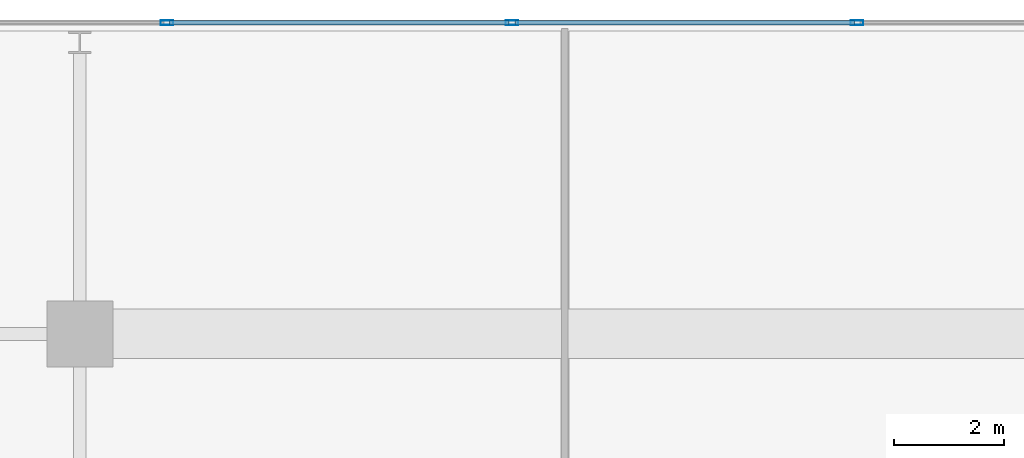
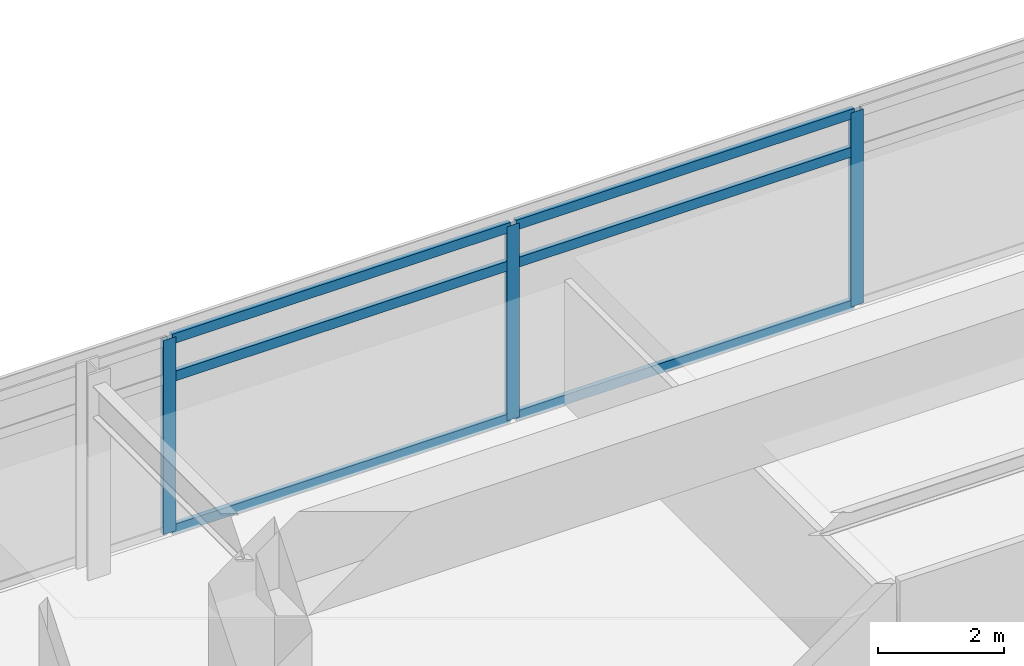
# One storey, part 10 of 21: 9 members, 1 element without a shape of its own.
"""IFC4 building model written with IfcOpenShell, lengths in metres."""

from ifc_helpers import new_model, si_unit, direction, frame, origin, origin_2d, place, context, subcontext, project, spatial, hollow_rectangle, extrude, material, material_profile, profile_set, type_object, element, aggregate, save


model = new_model("IFC4")

# Units and contexts
model_context = context("Model", 3, precision=1e-05, world=origin(), true_north=direction((0.0, 1.0)))
body_context = subcontext(model_context, "Body", "Model", "MODEL_VIEW")
ifc_project = project(units=[si_unit("LENGTHUNIT", "METRE"), si_unit("AREAUNIT", "SQUARE_METRE"), si_unit("VOLUMEUNIT", "CUBIC_METRE"), si_unit("PLANEANGLEUNIT", "RADIAN"), si_unit("MASSUNIT", "GRAM", prefix="KILO")], contexts=[model_context])

# Site, building, storey
site_placement = place(None, origin())
site = spatial("IfcSite", under=ifc_project, at=site_placement, CompositionType="ELEMENT")
building_placement = place(site_placement, origin())
building = spatial("IfcBuilding", under=site, at=building_placement, Name="Kovane Verandah Tower", CompositionType="ELEMENT")
storey_placement = place(building_placement, frame((0.0, 0.0, 275.199951171875)))
storey = spatial("IfcBuildingStorey", under=building, at=storey_placement, Name="L64", CompositionType="ELEMENT", Elevation=275.199951171875)

# Curtain wall, members
ifc_material_1 = material(Name="Champagne Anodised Aluminium Frame with Low-E Clear Laminated Glass", Category="aluminium")
curtain_wall_type = type_object("IfcCurtainWallType", Name="CW-SYS-05-HIGH", PredefinedType="NOTDEFINED", material=ifc_material_1)
curtain_wall_placement = place(storey_placement, origin())
curtain_wall = element("IfcCurtainWall", 1, at=curtain_wall_placement, inside=storey, type_object=curtain_wall_type, Name="L64 N Unitised Curtain Wall", PredefinedType="NOTDEFINED")
ifc_material_2 = material(Name="Champagne Anodised Aluminium 6063-T6", Category="aluminium")
ifc_material_profile_1 = material_profile(ifc_material_2, hollow_rectangle(XDim=0.0849609375, YDim=0.22998046875, WallThickness=0.00390625, at=origin_2d()), Name="AL85x230x4")
ifc_profile_set_1 = profile_set([ifc_material_profile_1], Name="Champagne Anodised Aluminium 6063-T6")
member_type_1 = type_object("IfcMemberType", Name="CW-MUL-85x230", PredefinedType="MULLION", material=ifc_profile_set_1)
member_1_placement = place(storey_placement, frame((43.138427734375, 49.860107421875, 0.02001953125), z_axis=(0.0, 0.0, 1.0), x_axis=(0.0, 1.0, 0.0)))
member_1 = element("IfcMember", 2, at=member_1_placement, type_object=member_type_1, Name="L64 N Unitised Curtain Wall Mullion 4", PredefinedType="MULLION", context=body_context, shape_type="SweptSolid", body=[
    extrude(hollow_rectangle(XDim=0.0849609375, YDim=0.22998046875, WallThickness=0.00390625, at=origin_2d()), origin(), (0.0, 0.0, 1.0), 3.7451171875),
])
member_2_placement = place(storey_placement, frame((36.861572265625, 49.860107421875, 0.02001953125), z_axis=(0.0, 0.0, 1.0), x_axis=(0.0, 1.0, 0.0)))
member_2 = element("IfcMember", 3, at=member_2_placement, type_object=member_type_1, Name="L64 N Unitised Curtain Wall Mullion 5", PredefinedType="MULLION", context=body_context, shape_type="SweptSolid", body=[
    extrude(hollow_rectangle(XDim=0.0849609375, YDim=0.22998046875, WallThickness=0.00390625, at=origin_2d()), origin(), (0.0, 0.0, 1.0), 3.7451171875),
])
member_3_placement = place(storey_placement, frame((30.584716796875, 49.860107421875, 0.02001953125), z_axis=(0.0, 0.0, 1.0), x_axis=(0.0, 1.0, 0.0)))
member_3 = element("IfcMember", 4, at=member_3_placement, type_object=member_type_1, Name="L64 N Unitised Curtain Wall Mullion 6", PredefinedType="MULLION", context=body_context, shape_type="SweptSolid", body=[
    extrude(hollow_rectangle(XDim=0.0849609375, YDim=0.22998046875, WallThickness=0.00390625, at=origin_2d()), origin(), (0.0, 0.0, 1.0), 3.7451171875),
])
ifc_material_profile_2 = material_profile(ifc_material_2, hollow_rectangle(XDim=0.0849609375, YDim=0.18994140625, WallThickness=0.00390625, at=origin_2d()), Name="AL85x190x4")
ifc_profile_set_2 = profile_set([ifc_material_profile_2], Name="Champagne Anodised Aluminium 6063-T6")
member_type_2 = type_object("IfcMemberType", Name="CW-TRN-85x190", PredefinedType="USERDEFINED", material=ifc_profile_set_2)
member_4_placement = place(storey_placement, frame((43.08837890625, 49.860107421875, 0.050048828125), z_axis=(-1.0, 0.0, 0.0), x_axis=(0.0, -1.0, 0.0)))
member_4 = element("IfcMember", 5, at=member_4_placement, type_object=member_type_2, Name="L64 N Unitised Curtain Wall Transom TB Bay 4", ObjectType="TRANSOM", PredefinedType="USERDEFINED", context=body_context, shape_type="SweptSolid", body=[
    extrude(hollow_rectangle(XDim=0.0849609375, YDim=0.18994140625, WallThickness=0.00390625, at=origin_2d()), origin(), (0.0, 0.0, 1.0), 6.1767578125),
])
member_5_placement = place(storey_placement, frame((43.08837890625, 49.860107421875, 3.005126953125), z_axis=(-1.0, 0.0, 0.0), x_axis=(0.0, -1.0, 0.0)))
member_5 = element("IfcMember", 6, at=member_5_placement, type_object=member_type_2, Name="L64 N Unitised Curtain Wall Transom TM Bay 4", ObjectType="TRANSOM", PredefinedType="USERDEFINED", context=body_context, shape_type="SweptSolid", body=[
    extrude(hollow_rectangle(XDim=0.0849609375, YDim=0.18994140625, WallThickness=0.00390625, at=origin_2d()), origin(), (0.0, 0.0, 1.0), 6.1767578125),
])
member_6_placement = place(storey_placement, frame((43.08837890625, 49.860107421875, 3.735107421875), z_axis=(-1.0, 0.0, 0.0), x_axis=(0.0, -1.0, 0.0)))
member_6 = element("IfcMember", 7, at=member_6_placement, type_object=member_type_2, Name="L64 N Unitised Curtain Wall Transom TT Bay 4", ObjectType="TRANSOM", PredefinedType="USERDEFINED", context=body_context, shape_type="SweptSolid", body=[
    extrude(hollow_rectangle(XDim=0.0849609375, YDim=0.18994140625, WallThickness=0.00390625, at=origin_2d()), origin(), (0.0, 0.0, 1.0), 6.1767578125),
])
member_7_placement = place(storey_placement, frame((36.8115234375, 49.860107421875, 0.050048828125), z_axis=(-1.0, 0.0, 0.0), x_axis=(0.0, -1.0, 0.0)))
member_7 = element("IfcMember", 8, at=member_7_placement, type_object=member_type_2, Name="L64 N Unitised Curtain Wall Transom TB Bay 5", ObjectType="TRANSOM", PredefinedType="USERDEFINED", context=body_context, shape_type="SweptSolid", body=[
    extrude(hollow_rectangle(XDim=0.0849609375, YDim=0.18994140625, WallThickness=0.00390625, at=origin_2d()), origin(), (0.0, 0.0, 1.0), 6.177001953125),
])
member_8_placement = place(storey_placement, frame((36.8115234375, 49.860107421875, 3.005126953125), z_axis=(-1.0, 0.0, 0.0), x_axis=(0.0, -1.0, 0.0)))
member_8 = element("IfcMember", 9, at=member_8_placement, type_object=member_type_2, Name="L64 N Unitised Curtain Wall Transom TM Bay 5", ObjectType="TRANSOM", PredefinedType="USERDEFINED", context=body_context, shape_type="SweptSolid", body=[
    extrude(hollow_rectangle(XDim=0.0849609375, YDim=0.18994140625, WallThickness=0.00390625, at=origin_2d()), origin(), (0.0, 0.0, 1.0), 6.177001953125),
])
member_9_placement = place(storey_placement, frame((36.8115234375, 49.860107421875, 3.735107421875), z_axis=(-1.0, 0.0, 0.0), x_axis=(0.0, -1.0, 0.0)))
member_9 = element("IfcMember", 10, at=member_9_placement, type_object=member_type_2, Name="L64 N Unitised Curtain Wall Transom TT Bay 5", ObjectType="TRANSOM", PredefinedType="USERDEFINED", context=body_context, shape_type="SweptSolid", body=[
    extrude(hollow_rectangle(XDim=0.0849609375, YDim=0.18994140625, WallThickness=0.00390625, at=origin_2d()), origin(), (0.0, 0.0, 1.0), 6.177001953125),
])
aggregate(curtain_wall, [member_1, member_2, member_3, member_4, member_5, member_6, member_7, member_8, member_9])

save(model, "model.ifc")
